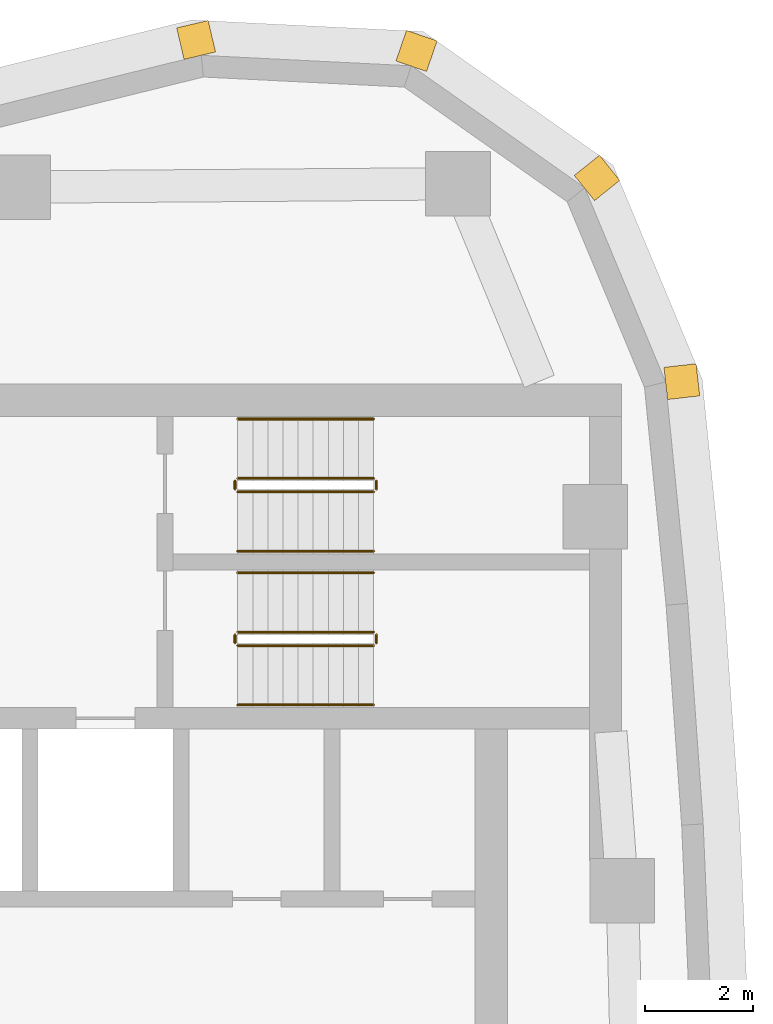
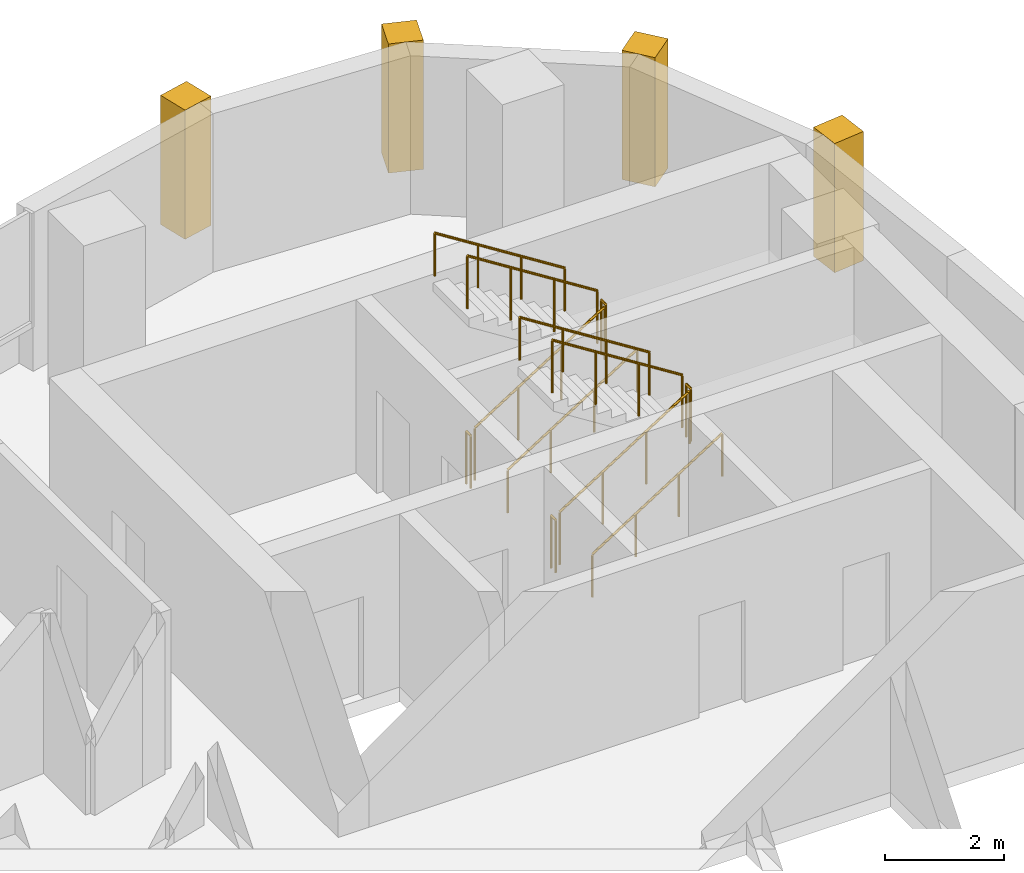
# One storey, part 16 of 16: 12 railings, 4 coverings.
"""IFC4 building model written with IfcOpenShell, lengths in metres."""

from ifc_helpers import new_model, si_unit, direction, frame, frame_2d, origin, origin_2d, place, context, subcontext, project, spatial, rectangle, circle, extrude, material, layer, layer_set, type_object, element, save


model = new_model("IFC4")

# Units and contexts
model_context = context("Model", 3, precision=1e-05, world=origin(), true_north=direction((0.0, 1.0)))
body_context = subcontext(model_context, "Body", "Model", "MODEL_VIEW")
ifc_project = project(units=[si_unit("LENGTHUNIT", "METRE"), si_unit("AREAUNIT", "SQUARE_METRE"), si_unit("VOLUMEUNIT", "CUBIC_METRE"), si_unit("PLANEANGLEUNIT", "RADIAN"), si_unit("MASSUNIT", "GRAM", prefix="KILO")], contexts=[model_context])

# Site, building, storey
site_placement = place(None, origin())
site = spatial("IfcSite", under=ifc_project, at=site_placement, CompositionType="ELEMENT")
building_placement = place(site_placement, origin())
building = spatial("IfcBuilding", under=site, at=building_placement, Name="Ostrand Prow Hotel Tower", CompositionType="ELEMENT")
storey_placement = place(building_placement, frame((0.0, 0.0, 220.800048828125)))
storey = spatial("IfcBuildingStorey", under=building, at=storey_placement, Name="L55", CompositionType="ELEMENT", Elevation=220.800048828125)

# Coverings
ifc_material_1 = material(Name="Limestone cladding", Category="masonry")
ifc_layer = layer(ifc_material_1, 0.60009765625)
ifc_layer_set = layer_set([ifc_layer], Name="Limestone cladding")
covering_type = type_object("IfcCoveringType", Name="Precast stone prow rib 600x600", PredefinedType="CLADDING", material=ifc_layer_set)
for number, where, z_axis, x_axis, name in (
    (1, (65.13623046875, 16.35986328125, 0.599853515625), (0.0, 0.0, 1.0), (0.993628058569, 0.112708833834, 0.0), "Stone corner rib 13a"),
    (2, (63.62744140625, 19.98291015625, 0.599853515625), (0.0, 0.0, 1.0), (0.779994736518, 0.625786074473, 0.0), "Stone corner rib 14a"),
    (3, (60.417236328125, 22.240966796875, 0.599853515625), (0.0, 0.0, 1.0), (0.325489086777, 0.945545797087, 0.0), "Stone corner rib 15a"),
    (4, (56.49755859375, 22.436279296875, 0.599853515625), (0.0, 0.0, 1.0), (-0.229878322855, 0.973219377469, 0.0), "Stone corner rib 15b"),
):
    element("IfcCovering", number, at=place(storey_placement, frame(where, z_axis=z_axis, x_axis=x_axis)), inside=storey, type_object=covering_type, Name=name, PredefinedType="CLADDING", context=body_context, shape_type="SweptSolid", body=[
        extrude(rectangle(XDim=0.60009765625, YDim=0.60009765625, at=frame_2d((0.300048828125, 0.0))), origin(), (0.0, 0.0, 1.0), 2.650146484375),
    ])

# Railings
ifc_material_2 = material(Name="Painted steel", Category="steel")
railing_type_1 = type_object("IfcRailingType", Name="Stair guard 1100", PredefinedType="GUARDRAIL", material=ifc_material_2)
railing_1_placement = place(storey_placement, frame((57.199951171875, 11.5, 0.177490234375)))
element("IfcRailing", 5, at=railing_1_placement, inside=storey, type_object=railing_type_1, Name="L55 ST1C stair guard 1", PredefinedType="GUARDRAIL", context=body_context, shape_type="SweptSolid", body=[
    extrude(circle(Radius=0.02392578125, at=origin_2d()), frame((0.0, 0.0, 1.076171875), z_axis=(0.84460694969, 0.0, 0.535386869969), x_axis=(0.0, 1.0, 0.0)), (0.0, 0.0, 1.0), 2.983642578125),
    extrude(circle(Radius=0.02099609375, at=origin_2d()), origin(), (0.0, 0.0, 1.0), 1.052001953125),
    extrude(circle(Radius=0.02099609375, at=origin_2d()), frame((0.840087890625, 0.0, 0.532470703125)), (0.0, 0.0, 1.0), 1.052001953125),
    extrude(circle(Radius=0.02099609375, at=origin_2d()), frame((1.679931640625, 0.0, 1.06494140625)), (0.0, 0.0, 1.0), 1.052001953125),
    extrude(circle(Radius=0.02099609375, at=origin_2d()), frame((2.52001953125, 0.0, 1.597412109375)), (0.0, 0.0, 1.0), 1.052001953125),
])
railing_2_placement = place(storey_placement, frame((59.77001953125, 11.550048828125, 1.77490234375)))
element("IfcRailing", 6, at=railing_2_placement, inside=storey, type_object=railing_type_1, Name="L55 ST1C stair guard 2", PredefinedType="GUARDRAIL", context=body_context, shape_type="SweptSolid", body=[
    extrude(circle(Radius=0.02392578125, at=origin_2d()), frame((0.0, 0.0, 1.076171875), z_axis=(0.0, 1.0, 0.0), x_axis=(-1.0, 0.0, 0.0)), (0.0, 0.0, 1.0), 0.14990234375),
    extrude(circle(Radius=0.02099609375, at=origin_2d()), origin(), (0.0, 0.0, 1.0), 1.052001953125),
    extrude(circle(Radius=0.02099609375, at=origin_2d()), frame((0.0, 0.14990234375, 0.0)), (0.0, 0.0, 1.0), 1.052001953125),
])
railing_3_placement = place(storey_placement, frame((59.719970703125, 11.75, 1.952392578125)))
element("IfcRailing", 7, at=railing_3_placement, inside=storey, type_object=railing_type_1, Name="L55 ST1C stair guard 3", PredefinedType="GUARDRAIL", context=body_context, shape_type="SweptSolid", body=[
    extrude(circle(Radius=0.02392578125, at=origin_2d()), frame((0.0, 0.0, 1.076171875), z_axis=(-0.84456994832, 0.0, 0.535445237532), x_axis=(0.0, -1.0, 0.0)), (0.0, 0.0, 1.0), 2.98388671875),
    extrude(circle(Radius=0.02099609375, at=origin_2d()), origin(), (0.0, 0.0, 1.0), 1.052001953125),
    extrude(circle(Radius=0.02099609375, at=origin_2d()), frame((-0.840087890625, 0.0, 0.532470703125)), (0.0, 0.0, 1.0), 1.052001953125),
    extrude(circle(Radius=0.02099609375, at=origin_2d()), frame((-1.679931640625, 0.0, 1.065185546875)), (0.0, 0.0, 1.0), 1.052001953125),
    extrude(circle(Radius=0.02099609375, at=origin_2d()), frame((-2.52001953125, 0.0, 1.59765625)), (0.0, 0.0, 1.0), 1.052001953125),
])
railing_4_placement = place(storey_placement, frame((57.14990234375, 11.550048828125, 0.0)))
element("IfcRailing", 8, at=railing_4_placement, inside=storey, type_object=railing_type_1, Name="L55 ST1C stair guard 4", PredefinedType="GUARDRAIL", context=body_context, shape_type="SweptSolid", body=[
    extrude(circle(Radius=0.02392578125, at=origin_2d()), frame((0.0, 0.0, 1.076171875), z_axis=(0.0, 1.0, 0.0), x_axis=(-1.0, 0.0, 0.0)), (0.0, 0.0, 1.0), 0.14990234375),
    extrude(circle(Radius=0.02099609375, at=origin_2d()), origin(), (0.0, 0.0, 1.0), 1.052001953125),
    extrude(circle(Radius=0.02099609375, at=origin_2d()), frame((0.0, 0.14990234375, 0.0)), (0.0, 0.0, 1.0), 1.052001953125),
])
railing_5_placement = place(storey_placement, frame((57.199951171875, 14.35009765625, 0.177490234375)))
element("IfcRailing", 9, at=railing_5_placement, inside=storey, type_object=railing_type_1, Name="L55 ST3C stair guard 1", PredefinedType="GUARDRAIL", context=body_context, shape_type="SweptSolid", body=[
    extrude(circle(Radius=0.02392578125, at=origin_2d()), frame((0.0, 0.0, 1.076171875), z_axis=(0.84460694969, 0.0, 0.535386869969), x_axis=(0.0, 1.0, 0.0)), (0.0, 0.0, 1.0), 2.983642578125),
    extrude(circle(Radius=0.02099609375, at=origin_2d()), origin(), (0.0, 0.0, 1.0), 1.052001953125),
    extrude(circle(Radius=0.02099609375, at=origin_2d()), frame((0.840087890625, 0.0, 0.532470703125)), (0.0, 0.0, 1.0), 1.052001953125),
    extrude(circle(Radius=0.02099609375, at=origin_2d()), frame((1.679931640625, 0.0, 1.06494140625)), (0.0, 0.0, 1.0), 1.052001953125),
    extrude(circle(Radius=0.02099609375, at=origin_2d()), frame((2.52001953125, 0.0, 1.597412109375)), (0.0, 0.0, 1.0), 1.052001953125),
])
railing_6_placement = place(storey_placement, frame((59.77001953125, 14.39990234375, 1.77490234375)))
element("IfcRailing", 10, at=railing_6_placement, inside=storey, type_object=railing_type_1, Name="L55 ST3C stair guard 2", PredefinedType="GUARDRAIL", context=body_context, shape_type="SweptSolid", body=[
    extrude(circle(Radius=0.02392578125, at=origin_2d()), frame((0.0, 0.0, 1.076171875), z_axis=(0.0, 1.0, 0.0), x_axis=(-1.0, 0.0, 0.0)), (0.0, 0.0, 1.0), 0.150146484375),
    extrude(circle(Radius=0.02099609375, at=origin_2d()), origin(), (0.0, 0.0, 1.0), 1.052001953125),
    extrude(circle(Radius=0.02099609375, at=origin_2d()), frame((0.0, 0.150146484375, 0.0)), (0.0, 0.0, 1.0), 1.052001953125),
])
railing_7_placement = place(storey_placement, frame((59.719970703125, 14.60009765625, 1.952392578125)))
element("IfcRailing", 11, at=railing_7_placement, inside=storey, type_object=railing_type_1, Name="L55 ST3C stair guard 3", PredefinedType="GUARDRAIL", context=body_context, shape_type="SweptSolid", body=[
    extrude(circle(Radius=0.02392578125, at=origin_2d()), frame((0.0, 0.0, 1.076171875), z_axis=(-0.84456994832, 0.0, 0.535445237532), x_axis=(0.0, -1.0, 0.0)), (0.0, 0.0, 1.0), 2.98388671875),
    extrude(circle(Radius=0.02099609375, at=origin_2d()), origin(), (0.0, 0.0, 1.0), 1.052001953125),
    extrude(circle(Radius=0.02099609375, at=origin_2d()), frame((-0.840087890625, 0.0, 0.532470703125)), (0.0, 0.0, 1.0), 1.052001953125),
    extrude(circle(Radius=0.02099609375, at=origin_2d()), frame((-1.679931640625, 0.0, 1.065185546875)), (0.0, 0.0, 1.0), 1.052001953125),
    extrude(circle(Radius=0.02099609375, at=origin_2d()), frame((-2.52001953125, 0.0, 1.59765625)), (0.0, 0.0, 1.0), 1.052001953125),
])
railing_8_placement = place(storey_placement, frame((57.14990234375, 14.39990234375, 0.0)))
element("IfcRailing", 12, at=railing_8_placement, inside=storey, type_object=railing_type_1, Name="L55 ST3C stair guard 4", PredefinedType="GUARDRAIL", context=body_context, shape_type="SweptSolid", body=[
    extrude(circle(Radius=0.02392578125, at=origin_2d()), frame((0.0, 0.0, 1.076171875), z_axis=(0.0, 1.0, 0.0), x_axis=(-1.0, 0.0, 0.0)), (0.0, 0.0, 1.0), 0.150146484375),
    extrude(circle(Radius=0.02099609375, at=origin_2d()), origin(), (0.0, 0.0, 1.0), 1.052001953125),
    extrude(circle(Radius=0.02099609375, at=origin_2d()), frame((0.0, 0.150146484375, 0.0)), (0.0, 0.0, 1.0), 1.052001953125),
])
ifc_material_3 = material(Name="Stainless steel", Category="steel")
railing_type_2 = type_object("IfcRailingType", Name="Stair handrail 900", PredefinedType="HANDRAIL", material=ifc_material_3)
railing_9_placement = place(storey_placement, frame((57.199951171875, 10.39990234375, 0.177490234375)))
element("IfcRailing", 13, at=railing_9_placement, inside=storey, type_object=railing_type_2, Name="L55 ST1C stair handrail 1", PredefinedType="HANDRAIL", context=body_context, shape_type="SweptSolid", body=[
    extrude(circle(Radius=0.02392578125, at=origin_2d()), frame((0.0, 0.0, 0.8759765625), z_axis=(0.84460694969, 0.0, 0.535386869969), x_axis=(0.0, 1.0, 0.0)), (0.0, 0.0, 1.0), 2.983642578125),
    extrude(circle(Radius=0.02099609375, at=origin_2d()), origin(), (0.0, 0.0, 1.0), 0.851806640625),
    extrude(circle(Radius=0.02099609375, at=origin_2d()), frame((0.840087890625, 0.0, 0.532470703125)), (0.0, 0.0, 1.0), 0.851806640625),
    extrude(circle(Radius=0.02099609375, at=origin_2d()), frame((1.679931640625, 0.0, 1.06494140625)), (0.0, 0.0, 1.0), 0.851806640625),
    extrude(circle(Radius=0.02099609375, at=origin_2d()), frame((2.52001953125, 0.0, 1.597412109375)), (0.0, 0.0, 1.0), 0.851806640625),
])
railing_10_placement = place(storey_placement, frame((59.719970703125, 12.85009765625, 1.952392578125)))
element("IfcRailing", 14, at=railing_10_placement, inside=storey, type_object=railing_type_2, Name="L55 ST1C stair handrail 2", PredefinedType="HANDRAIL", context=body_context, shape_type="SweptSolid", body=[
    extrude(circle(Radius=0.02392578125, at=origin_2d()), frame((0.0, 0.0, 0.8759765625), z_axis=(-0.84456994832, 0.0, 0.535445237532), x_axis=(0.0, -1.0, 0.0)), (0.0, 0.0, 1.0), 2.98388671875),
    extrude(circle(Radius=0.02099609375, at=origin_2d()), origin(), (0.0, 0.0, 1.0), 0.851806640625),
    extrude(circle(Radius=0.02099609375, at=origin_2d()), frame((-0.840087890625, 0.0, 0.532470703125)), (0.0, 0.0, 1.0), 0.851806640625),
    extrude(circle(Radius=0.02099609375, at=origin_2d()), frame((-1.679931640625, 0.0, 1.065185546875)), (0.0, 0.0, 1.0), 0.851806640625),
    extrude(circle(Radius=0.02099609375, at=origin_2d()), frame((-2.52001953125, 0.0, 1.59765625)), (0.0, 0.0, 1.0), 0.851806640625),
])
railing_11_placement = place(storey_placement, frame((57.199951171875, 13.25, 0.177490234375)))
element("IfcRailing", 15, at=railing_11_placement, inside=storey, type_object=railing_type_2, Name="L55 ST3C stair handrail 1", PredefinedType="HANDRAIL", context=body_context, shape_type="SweptSolid", body=[
    extrude(circle(Radius=0.02392578125, at=origin_2d()), frame((0.0, 0.0, 0.8759765625), z_axis=(0.84460694969, 0.0, 0.535386869969), x_axis=(0.0, 1.0, 0.0)), (0.0, 0.0, 1.0), 2.983642578125),
    extrude(circle(Radius=0.02099609375, at=origin_2d()), origin(), (0.0, 0.0, 1.0), 0.851806640625),
    extrude(circle(Radius=0.02099609375, at=origin_2d()), frame((0.840087890625, 0.0, 0.532470703125)), (0.0, 0.0, 1.0), 0.851806640625),
    extrude(circle(Radius=0.02099609375, at=origin_2d()), frame((1.679931640625, 0.0, 1.06494140625)), (0.0, 0.0, 1.0), 0.851806640625),
    extrude(circle(Radius=0.02099609375, at=origin_2d()), frame((2.52001953125, 0.0, 1.597412109375)), (0.0, 0.0, 1.0), 0.851806640625),
])
railing_12_placement = place(storey_placement, frame((59.719970703125, 15.699951171875, 1.952392578125)))
element("IfcRailing", 16, at=railing_12_placement, inside=storey, type_object=railing_type_2, Name="L55 ST3C stair handrail 2", PredefinedType="HANDRAIL", context=body_context, shape_type="SweptSolid", body=[
    extrude(circle(Radius=0.02392578125, at=origin_2d()), frame((0.0, 0.0, 0.8759765625), z_axis=(-0.84456994832, 0.0, 0.535445237532), x_axis=(0.0, -1.0, 0.0)), (0.0, 0.0, 1.0), 2.98388671875),
    extrude(circle(Radius=0.02099609375, at=origin_2d()), origin(), (0.0, 0.0, 1.0), 0.851806640625),
    extrude(circle(Radius=0.02099609375, at=origin_2d()), frame((-0.840087890625, 0.0, 0.532470703125)), (0.0, 0.0, 1.0), 0.851806640625),
    extrude(circle(Radius=0.02099609375, at=origin_2d()), frame((-1.679931640625, 0.0, 1.065185546875)), (0.0, 0.0, 1.0), 0.851806640625),
    extrude(circle(Radius=0.02099609375, at=origin_2d()), frame((-2.52001953125, 0.0, 1.59765625)), (0.0, 0.0, 1.0), 0.851806640625),
])

save(model, "model.ifc")
